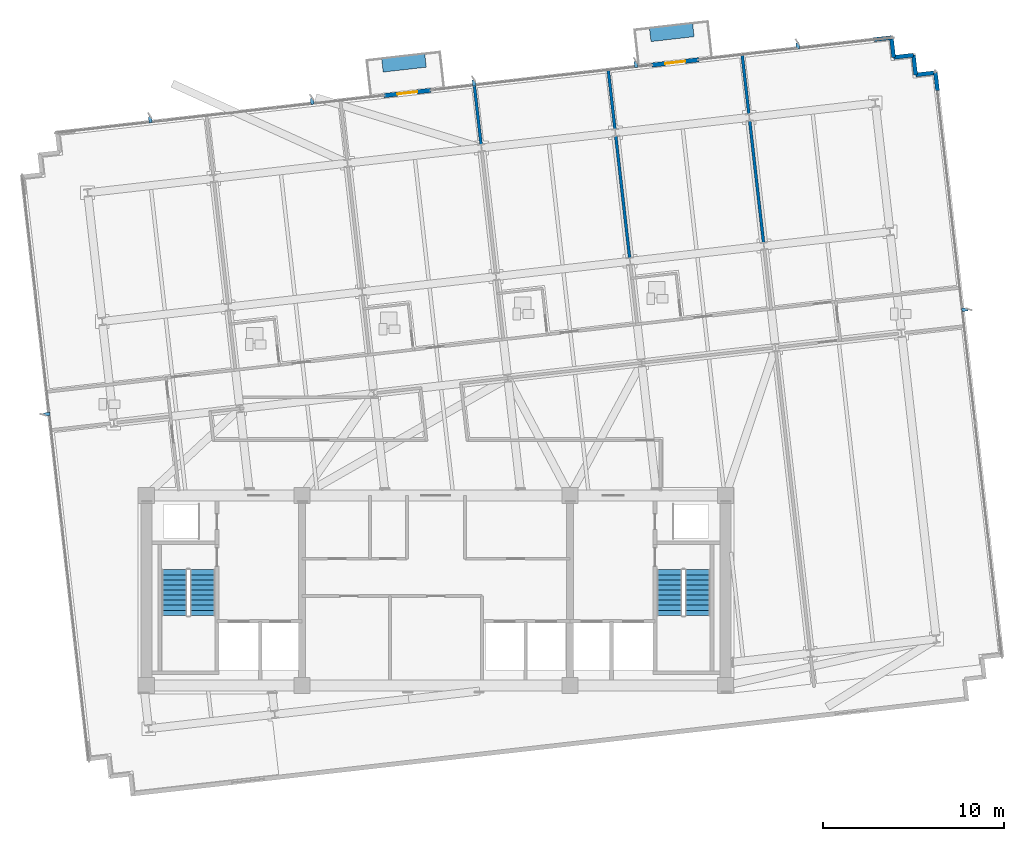
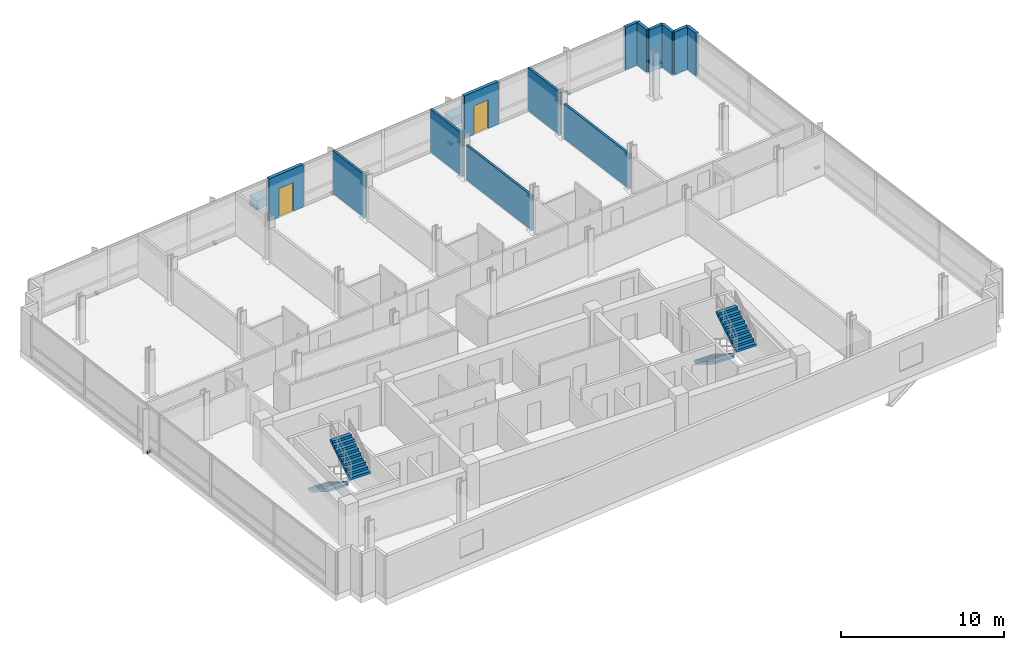
# One storey, part 11 of 15: 13 walls, 9 discrete accessories, 4 stair flights, 2 doors, 2 openings, 2 elements without a shape of their own.
"""IFC4 building model written with IfcOpenShell, lengths in metres."""

from ifc_helpers import new_model, si_unit, direction, frame, frame_2d, origin, origin_2d, place, context, subcontext, project, spatial, polyline, rectangle, outline, extrude, material, layer, layer_set, type_object, element, fill, aggregate, save


model = new_model("IFC4")

# Units and contexts
model_context = context("Model", 3, precision=1e-05, world=origin(), true_north=direction((0.0, 1.0)))
body_context = subcontext(model_context, "Body", "Model", "MODEL_VIEW")
ifc_project = project(units=[si_unit("LENGTHUNIT", "METRE"), si_unit("AREAUNIT", "SQUARE_METRE"), si_unit("VOLUMEUNIT", "CUBIC_METRE"), si_unit("PLANEANGLEUNIT", "RADIAN"), si_unit("MASSUNIT", "GRAM", prefix="KILO")], contexts=[model_context])

# Site, building, storey
site_placement = place(None, origin())
site = spatial("IfcSite", under=ifc_project, at=site_placement, CompositionType="ELEMENT")
building_placement = place(site_placement, origin())
building = spatial("IfcBuilding", under=site, at=building_placement, Name="Solmavex Isthmus Hotel", CompositionType="ELEMENT")
storey_placement = place(building_placement, frame((0.0, 0.0, 191.699951171875)))
storey = spatial("IfcBuildingStorey", under=building, at=storey_placement, Name="L51", CompositionType="ELEMENT", Elevation=191.699951171875)

# Wall, opening, door
ifc_material_1 = material(Name="Precast Concrete C40/50", Category="concrete")
ifc_layer_1 = layer(ifc_material_1, 0.25)
ifc_layer_set_1 = layer_set([ifc_layer_1], Name="Precast Concrete C40/50")
wall_type_1 = type_object("IfcWallType", Name="EW-TWR-250", PredefinedType="STANDARD", material=ifc_layer_set_1)
wall_1_placement = place(storey_placement, frame((-2.871337890625, 19.59326171875, 0.0), z_axis=(0.0, 0.0, 1.0), x_axis=(0.993577691497, 0.113151981689, 0.0)))
wall_1 = element("IfcWall", 1, at=wall_1_placement, inside=storey, type_object=wall_type_1, Name="Exterior Balcony Door Wall L51-2", PredefinedType="STANDARD", context=body_context, shape_type="SweptSolid", body=[
    extrude(rectangle(XDim=2.599853515625, YDim=0.239990234375, at=frame_2d((1.2998046875, 0.0))), origin(), (0.0, 0.0, 1.0), 3.18994140625),
])
opening_1_placement = place(wall_1_placement, frame((0.75, 0.0, 0.0)))
opening_1 = element("IfcOpeningElement", 2, at=opening_1_placement, cuts=wall_1, Name="Opening ED-02", PredefinedType="OPENING", context=body_context, shape_type="SweptSolid", body=[
    extrude(rectangle(XDim=1.10009765625, YDim=2.14990234375, at=frame_2d((0.550048828125, 1.074951171875))), frame((0.0, 0.1298828125, 0.0), z_axis=(0.0, -1.0, 0.0), x_axis=(1.0, 0.0, 0.0)), (0.0, 0.0, 1.0), 0.260009765625),
])
ifc_material_2 = material(Name="Aluminium alloy 6063-T6", Category="aluminium")
door_type = type_object("IfcDoorType", Name="EDR-BALC-1100", OperationType="NOTDEFINED", PredefinedType="DOOR", material=ifc_material_2)
door_1_placement = place(opening_1_placement, origin())
door_1 = element("IfcDoor", 3, at=door_1_placement, inside=storey, type_object=door_type, Name="Balcony & Terrace Glazed Door L51-2", OperationType="SINGLE_SWING_RIGHT", OverallHeight=2.14990234375, OverallWidth=1.10009765625, PredefinedType="DOOR", context=body_context, shape_type="SweptSolid", body=[
    extrude(rectangle(XDim=1.10009765625, YDim=2.14990234375, at=frame_2d((0.550048828125, 1.074951171875))), frame((0.0, 0.02490234375, 0.0), z_axis=(0.0, -1.0, 0.0), x_axis=(1.0, 0.0, 0.0)), (0.0, 0.0, 1.0), 0.050048828125),
])
fill(opening_1, door_1)

wall_2_placement = place(storey_placement, frame((11.9248046875, 21.279052734375, 0.0), z_axis=(0.0, 0.0, 1.0), x_axis=(0.993567130319, 0.113244680008, 0.0)))
wall_2 = element("IfcWall", 4, at=wall_2_placement, inside=storey, type_object=wall_type_1, Name="Exterior Balcony Door Wall L51-3", PredefinedType="STANDARD", context=body_context, shape_type="SweptSolid", body=[
    extrude(rectangle(XDim=2.60009765625, YDim=0.239990234375, at=frame_2d((1.300048828125, 0.0))), origin(), (0.0, 0.0, 1.0), 3.18994140625),
])
opening_2_placement = place(wall_2_placement, frame((0.75, 0.0, 0.0)))
opening_2 = element("IfcOpeningElement", 5, at=opening_2_placement, cuts=wall_2, Name="Opening ED-02", PredefinedType="OPENING", context=body_context, shape_type="SweptSolid", body=[
    extrude(rectangle(XDim=1.10009765625, YDim=2.14990234375, at=frame_2d((0.550048828125, 1.074951171875))), frame((0.0, 0.1298828125, 0.0), z_axis=(0.0, -1.0, 0.0), x_axis=(1.0, 0.0, 0.0)), (0.0, 0.0, 1.0), 0.260009765625),
])
door_2_placement = place(opening_2_placement, origin())
door_2 = element("IfcDoor", 6, at=door_2_placement, inside=storey, type_object=door_type, Name="Balcony & Terrace Glazed Door L51-3", OperationType="SINGLE_SWING_LEFT", OverallHeight=2.14990234375, OverallWidth=1.10009765625, PredefinedType="DOOR", context=body_context, shape_type="SweptSolid", body=[
    extrude(rectangle(XDim=1.10009765625, YDim=2.14990234375, at=frame_2d((0.550048828125, 1.074951171875))), frame((0.0, 0.02490234375, 0.0), z_axis=(0.0, -1.0, 0.0), x_axis=(1.0, 0.0, 0.0)), (0.0, 0.0, 1.0), 0.050048828125),
])
fill(opening_2, door_2)

# Walls
wall_3_placement = place(storey_placement, frame((24.175537109375, 22.684814453125, 0.0), z_axis=(0.0, 0.0, 1.0), x_axis=(0.993573147212, 0.113191877531, 0.0)))
element("IfcWall", 7, at=wall_3_placement, inside=storey, type_object=wall_type_1, Name="Serrated Corner Facade Panel L51-14", PredefinedType="STANDARD", context=body_context, shape_type="SweptSolid", body=[
    extrude(rectangle(XDim=0.989990234375, YDim=0.219970703125, at=frame_2d((0.4951171875, 0.0))), origin(), (0.0, 0.0, 1.0), 3.18994140625),
])
for number, where, z_axis, x_axis, name in (
    (8, (25.1591796875, 22.796875, 0.0), (0.0, 0.0, 1.0), (0.11320852056, -0.99357125103, 0.0), "Serrated Corner Facade Panel L51-15"),
    (9, (25.28369140625, 21.7041015625, 0.0), (0.0, 0.0, 1.0), (0.99357125103, 0.11320852056, 0.0), "Serrated Corner Facade Panel L51-16"),
):
    element("IfcWall", number, at=place(storey_placement, frame(where, z_axis=z_axis, x_axis=x_axis)), inside=storey, type_object=wall_type_1, Name=name, PredefinedType="STANDARD", context=body_context, shape_type="SweptSolid", body=[
        extrude(rectangle(XDim=1.099853515625, YDim=0.219970703125, at=frame_2d((0.5498046875, 0.0))), origin(), (0.0, 0.0, 1.0), 3.18994140625),
    ])
wall_4_placement = place(storey_placement, frame((26.37646484375, 21.82861328125, 0.0), z_axis=(0.0, 0.0, 1.0), x_axis=(0.113402635104, -0.993549114212, 0.0)))
element("IfcWall", 10, at=wall_4_placement, inside=storey, type_object=wall_type_1, Name="Serrated Corner Facade Panel L51-17", PredefinedType="STANDARD", context=body_context, shape_type="SweptSolid", body=[
    extrude(rectangle(XDim=1.10009765625, YDim=0.219970703125, at=frame_2d((0.550048828125, 0.0))), origin(), (0.0, 0.0, 1.0), 3.18994140625),
])
wall_5_placement = place(storey_placement, frame((26.501220703125, 20.735595703125, 0.0), z_axis=(0.0, 0.0, 1.0), x_axis=(0.99357125103, 0.11320852056, 0.0)))
element("IfcWall", 11, at=wall_5_placement, inside=storey, type_object=wall_type_1, Name="Serrated Corner Facade Panel L51-18", PredefinedType="STANDARD", context=body_context, shape_type="SweptSolid", body=[
    extrude(rectangle(XDim=1.099853515625, YDim=0.219970703125, at=frame_2d((0.5498046875, 0.0))), origin(), (0.0, 0.0, 1.0), 3.18994140625),
])
wall_6_placement = place(storey_placement, frame((27.593994140625, 20.860107421875, 0.0), z_axis=(0.0, 0.0, 1.0), x_axis=(0.113191877531, -0.993573147212, 0.0)))
element("IfcWall", 12, at=wall_6_placement, inside=storey, type_object=wall_type_1, Name="Serrated Corner Facade Panel L51-19", PredefinedType="STANDARD", context=body_context, shape_type="SweptSolid", body=[
    extrude(rectangle(XDim=0.989990234375, YDim=0.219970703125, at=frame_2d((0.4951171875, 0.0))), origin(), (0.0, 0.0, 1.0), 3.18994140625),
])
ifc_material_3 = material(Name="Gypsum plasterboard lining", Category="gypsum")
ifc_layer_2 = layer(ifc_material_3, 0.159912109375)
ifc_layer_set_2 = layer_set([ifc_layer_2], Name="Gypsum plasterboard lining")
wall_type_2 = type_object("IfcWallType", Name="IW-COMP-160", PredefinedType="PARTITIONING", material=ifc_layer_set_2)
wall_7_placement = place(storey_placement, frame((2.11474609375, 20.20166015625, 0.0), z_axis=(0.0, 0.0, 1.0), x_axis=(0.113243883011, -0.993567221158, 0.0)))
element("IfcWall", 13, at=wall_7_placement, inside=storey, type_object=wall_type_2, Name="Interior Partition Wall W-L51-P038", PredefinedType="PARTITIONING", context=body_context, shape_type="SweptSolid", body=[
    extrude(rectangle(XDim=3.34375, YDim=0.159912109375, at=frame_2d((1.671875, 0.0))), origin(), (0.0, 0.0, 1.0), 3.18994140625),
])
wall_8_placement = place(storey_placement, frame((9.512939453125, 21.04443359375, 0.0), z_axis=(0.0, 0.0, 1.0), x_axis=(0.113180015629, -0.993574498496, 0.0)))
element("IfcWall", 14, at=wall_8_placement, inside=storey, type_object=wall_type_2, Name="Interior Partition Wall W-L51-P043", PredefinedType="PARTITIONING", context=body_context, shape_type="SweptSolid", body=[
    extrude(rectangle(XDim=3.343505859375, YDim=0.159912109375, at=frame_2d((1.671875, 0.0))), origin(), (0.0, 0.0, 1.0), 3.18994140625),
])
wall_9_placement = place(storey_placement, frame((9.931396484375, 17.371826171875, 0.0), z_axis=(0.0, 0.0, 1.0), x_axis=(0.113217453743, -0.993570233133, 0.0)))
element("IfcWall", 15, at=wall_9_placement, inside=storey, type_object=wall_type_2, Name="Interior Partition Wall W-L51-P044", PredefinedType="PARTITIONING", context=body_context, shape_type="SweptSolid", body=[
    extrude(rectangle(XDim=6.799072265625, YDim=0.159912109375, at=frame_2d((3.3994140625, 0.0))), origin(), (0.0, 0.0, 1.0), 2.572265625),
])
wall_10_placement = place(storey_placement, frame((16.9111328125, 21.887451171875, 0.0), z_axis=(0.0, 0.0, 1.0), x_axis=(0.113171804991, -0.993575433752, 0.0)))
element("IfcWall", 16, at=wall_10_placement, inside=storey, type_object=wall_type_2, Name="Interior Partition Wall W-L51-P048", PredefinedType="PARTITIONING", context=body_context, shape_type="SweptSolid", body=[
    extrude(rectangle(XDim=3.34375, YDim=0.159912109375, at=frame_2d((1.671875, 0.0))), origin(), (0.0, 0.0, 1.0), 3.18994140625),
])
wall_11_placement = place(storey_placement, frame((17.32958984375, 18.21484375, 0.0), z_axis=(0.0, 0.0, 1.0), x_axis=(0.113177968069, -0.993574731736, 0.0)))
element("IfcWall", 17, at=wall_11_placement, inside=storey, type_object=wall_type_2, Name="Interior Partition Wall W-L51-P049", PredefinedType="PARTITIONING", context=body_context, shape_type="SweptSolid", body=[
    extrude(rectangle(XDim=6.79931640625, YDim=0.159912109375, at=frame_2d((3.399658203125, 0.0))), origin(), (0.0, 0.0, 1.0), 2.572265625),
])

# Stair, stair flights
ifc_material_4 = material(Name="Concrete C40/50", Category="concrete")
stair_type_1 = type_object("IfcStairType", Name="STR-ST-1", PredefinedType="HALF_TURN_STAIR", material=ifc_material_4)
stair_1_placement = place(storey_placement, origin())
stair_1 = element("IfcStair", 18, at=stair_1_placement, inside=storey, type_object=stair_type_1, Name="L51 Protected Exit Stair ST-1", PredefinedType="HALF_TURN_STAIR")
stair_flight_type_1 = type_object("IfcStairFlightType", Name="SFL-ST-1", PredefinedType="STRAIGHT", material=ifc_material_4)
stair_flight_1_placement = place(storey_placement, frame((-14.449951171875, -6.60009765625, 0.0), z_axis=(0.0, 0.0, 1.0), x_axis=(0.0, -1.0, 0.0)))
stair_flight_1 = element("IfcStairFlight", 19, at=stair_flight_1_placement, type_object=stair_flight_type_1, Name="ST-1 flight 1", NumberOfRisers=10, NumberOfTreads=9, PredefinedType="STRAIGHT", RiserHeight=0.1725, TreadLength=0.28, context=body_context, shape_type="SweptSolid", body=[
    extrude(outline(polyline([(0.0, 0.0), (0.0, 0.172607421875), (0.280029296875, 0.172607421875), (0.280029296875, 0.344970703125), (0.56005859375, 0.344970703125), (0.56005859375, 0.517578125), (0.840087890625, 0.517578125), (0.840087890625, 0.68994140625), (1.1201171875, 0.68994140625), (1.1201171875, 0.862548828125), (1.39990234375, 0.862548828125), (1.39990234375, 1.034912109375), (1.679931640625, 1.034912109375), (1.679931640625, 1.20751953125), (1.9599609375, 1.20751953125), (1.9599609375, 1.3798828125), (2.239990234375, 1.3798828125), (2.239990234375, 1.552490234375), (2.52001953125, 1.552490234375), (2.52001953125, 1.72509765625), (2.52001953125, 1.37646484375), (0.285888671875, 0.0), (0.0, 0.0)])), frame((0.0, 0.699951171875, 0.0), z_axis=(0.0, -1.0, 0.0), x_axis=(1.0, 0.0, 0.0)), (0.0, 0.0, 1.0), 1.39990234375),
])
stair_flight_2_placement = place(storey_placement, frame((-12.89990234375, -9.1201171875, 1.72509765625), z_axis=(0.0, 0.0, 1.0), x_axis=(0.0, 1.0, 0.0)))
stair_flight_2 = element("IfcStairFlight", 20, at=stair_flight_2_placement, type_object=stair_flight_type_1, Name="ST-1 flight 2", NumberOfRisers=10, NumberOfTreads=9, PredefinedType="STRAIGHT", RiserHeight=0.1725, TreadLength=0.28, context=body_context, shape_type="SweptSolid", body=[
    extrude(outline(polyline([(0.0, 0.0), (0.0, 0.172607421875), (0.280029296875, 0.172607421875), (0.280029296875, 0.344970703125), (0.56005859375, 0.344970703125), (0.56005859375, 0.517578125), (0.840087890625, 0.517578125), (0.840087890625, 0.68994140625), (1.1201171875, 0.68994140625), (1.1201171875, 0.862548828125), (1.39990234375, 0.862548828125), (1.39990234375, 1.034912109375), (1.679931640625, 1.034912109375), (1.679931640625, 1.20751953125), (1.9599609375, 1.20751953125), (1.9599609375, 1.3798828125), (2.239990234375, 1.3798828125), (2.239990234375, 1.552490234375), (2.52001953125, 1.552490234375), (2.52001953125, 1.72509765625), (2.52001953125, 1.37646484375), (0.285888671875, 0.0), (0.0, 0.0)])), frame((0.0, 0.699951171875, 0.0), z_axis=(0.0, -1.0, 0.0), x_axis=(1.0, 0.0, 0.0)), (0.0, 0.0, 1.0), 1.39990234375),
])
aggregate(stair_1, [stair_flight_1, stair_flight_2])

stair_type_2 = type_object("IfcStairType", Name="STR-ST-2", PredefinedType="HALF_TURN_STAIR", material=ifc_material_4)
stair_2_placement = place(storey_placement, origin())
stair_2 = element("IfcStair", 21, at=stair_2_placement, inside=storey, type_object=stair_type_2, Name="L51 Protected Exit Stair ST-2", PredefinedType="HALF_TURN_STAIR")
stair_flight_type_2 = type_object("IfcStairFlightType", Name="SFL-ST-2", PredefinedType="STRAIGHT", material=ifc_material_4)
stair_flight_3_placement = place(storey_placement, frame((12.89990234375, -6.60009765625, 0.0), z_axis=(0.0, 0.0, 1.0), x_axis=(0.0, -1.0, 0.0)))
stair_flight_3 = element("IfcStairFlight", 22, at=stair_flight_3_placement, type_object=stair_flight_type_2, Name="ST-2 flight 1", NumberOfRisers=10, NumberOfTreads=9, PredefinedType="STRAIGHT", RiserHeight=0.1725, TreadLength=0.28, context=body_context, shape_type="SweptSolid", body=[
    extrude(outline(polyline([(0.0, 0.0), (0.0, 0.172607421875), (0.280029296875, 0.172607421875), (0.280029296875, 0.344970703125), (0.56005859375, 0.344970703125), (0.56005859375, 0.517578125), (0.840087890625, 0.517578125), (0.840087890625, 0.68994140625), (1.1201171875, 0.68994140625), (1.1201171875, 0.862548828125), (1.39990234375, 0.862548828125), (1.39990234375, 1.034912109375), (1.679931640625, 1.034912109375), (1.679931640625, 1.20751953125), (1.9599609375, 1.20751953125), (1.9599609375, 1.3798828125), (2.239990234375, 1.3798828125), (2.239990234375, 1.552490234375), (2.52001953125, 1.552490234375), (2.52001953125, 1.72509765625), (2.52001953125, 1.37646484375), (0.285888671875, 0.0), (0.0, 0.0)])), frame((0.0, 0.699951171875, 0.0), z_axis=(0.0, -1.0, 0.0), x_axis=(1.0, 0.0, 0.0)), (0.0, 0.0, 1.0), 1.39990234375),
])
stair_flight_4_placement = place(storey_placement, frame((14.449951171875, -9.1201171875, 1.72509765625), z_axis=(0.0, 0.0, 1.0), x_axis=(0.0, 1.0, 0.0)))
stair_flight_4 = element("IfcStairFlight", 23, at=stair_flight_4_placement, type_object=stair_flight_type_2, Name="ST-2 flight 2", NumberOfRisers=10, NumberOfTreads=9, PredefinedType="STRAIGHT", RiserHeight=0.1725, TreadLength=0.28, context=body_context, shape_type="SweptSolid", body=[
    extrude(outline(polyline([(0.0, 0.0), (0.0, 0.172607421875), (0.280029296875, 0.172607421875), (0.280029296875, 0.344970703125), (0.56005859375, 0.344970703125), (0.56005859375, 0.517578125), (0.840087890625, 0.517578125), (0.840087890625, 0.68994140625), (1.1201171875, 0.68994140625), (1.1201171875, 0.862548828125), (1.39990234375, 0.862548828125), (1.39990234375, 1.034912109375), (1.679931640625, 1.034912109375), (1.679931640625, 1.20751953125), (1.9599609375, 1.20751953125), (1.9599609375, 1.3798828125), (2.239990234375, 1.3798828125), (2.239990234375, 1.552490234375), (2.52001953125, 1.552490234375), (2.52001953125, 1.72509765625), (2.52001953125, 1.37646484375), (0.285888671875, 0.0), (0.0, 0.0)])), frame((0.0, 0.699951171875, 0.0), z_axis=(0.0, -1.0, 0.0), x_axis=(1.0, 0.0, 0.0)), (0.0, 0.0, 1.0), 1.39990234375),
])
aggregate(stair_2, [stair_flight_3, stair_flight_4])

# Discrete accessories
ifc_material_5 = material(Name="Steel ASTM A572 Grade 50", Category="steel")
discrete_accessory_type_1 = type_object("IfcDiscreteAccessoryType", Name="ACC-BRK-FIN", PredefinedType="BRACKET", material=ifc_material_5)
for number, where, z_axis, x_axis, name in (
    (24, (-15.78076171875, 18.26318359375, -0.169921875), (0.0, 0.0, 1.0), (-0.113203213768, 0.993571855677, 0.0), "Facade Fin Support Bracket L51-N1"),
    (25, (-6.838623046875, 19.2822265625, -0.169921875), (0.0, 0.0, 1.0), (-0.113203213768, 0.993571855677, 0.0), "Facade Fin Support Bracket L51-N2"),
    (26, (2.103515625, 20.301025390625, -0.169921875), (0.0, 0.0, 1.0), (-0.113203213768, 0.993571855677, 0.0), "Facade Fin Support Bracket L51-N3"),
    (27, (11.045654296875, 21.31982421875, -0.169921875), (0.0, 0.0, 1.0), (-0.113203213768, 0.993571855677, 0.0), "Facade Fin Support Bracket L51-N4"),
    (28, (19.98779296875, 22.338623046875, -0.169921875), (0.0, 0.0, 1.0), (-0.113203213768, 0.993571855677, 0.0), "Facade Fin Support Bracket L51-N5"),
    (29, (-21.49560546875, 1.99169921875, -0.169921875), (0.0, 0.0, 1.0), (-0.993571855677, -0.113203213768, 0.0), "Facade Fin Support Bracket L51-W1"),
    (30, (29.21630859375, 7.769775390625, -0.169921875), (0.0, 0.0, 1.0), (0.993571855677, 0.113203213768, 0.0), "Facade Fin Support Bracket L51-E1"),
):
    element("IfcDiscreteAccessory", number, at=place(storey_placement, frame(where, z_axis=z_axis, x_axis=x_axis)), inside=storey, type_object=discrete_accessory_type_1, Name=name, PredefinedType="BRACKET", context=body_context, shape_type="SweptSolid", body=[
        extrude(rectangle(XDim=0.340087890625, YDim=0.179931640625, at=origin_2d()), origin(), (0.0, 0.0, 1.0), 0.159912109375),
    ])
discrete_accessory_type_2 = type_object("IfcDiscreteAccessoryType", Name="ACC-PLN-BALC", PredefinedType="USERDEFINED", material=ifc_material_1)
for number, where, z_axis, x_axis, name in (
    (31, (-1.768798828125, 21.399658203125, 0.0), (0.0, 0.0, 1.0), (0.993571855677, 0.113203213768, 0.0), "Tree-Balcony Architectural Planter L51-B1"),
    (32, (13.027587890625, 23.08544921875, 0.0), (0.0, 0.0, 1.0), (0.993571855677, 0.113203213768, 0.0), "Tree-Balcony Architectural Planter L51-B2"),
):
    element("IfcDiscreteAccessory", number, at=place(storey_placement, frame(where, z_axis=z_axis, x_axis=x_axis)), inside=storey, type_object=discrete_accessory_type_2, Name=name, ObjectType="PLANTER", PredefinedType="USERDEFINED", context=body_context, shape_type="SweptSolid", body=[
        extrude(rectangle(XDim=2.39990234375, YDim=0.75, at=origin_2d()), origin(), (0.0, 0.0, 1.0), 0.699951171875),
    ])

save(model, "model.ifc")
